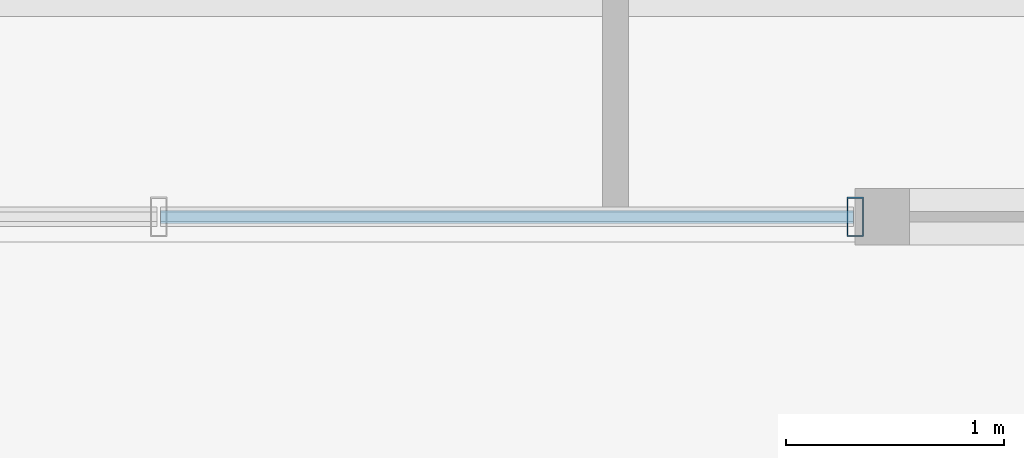
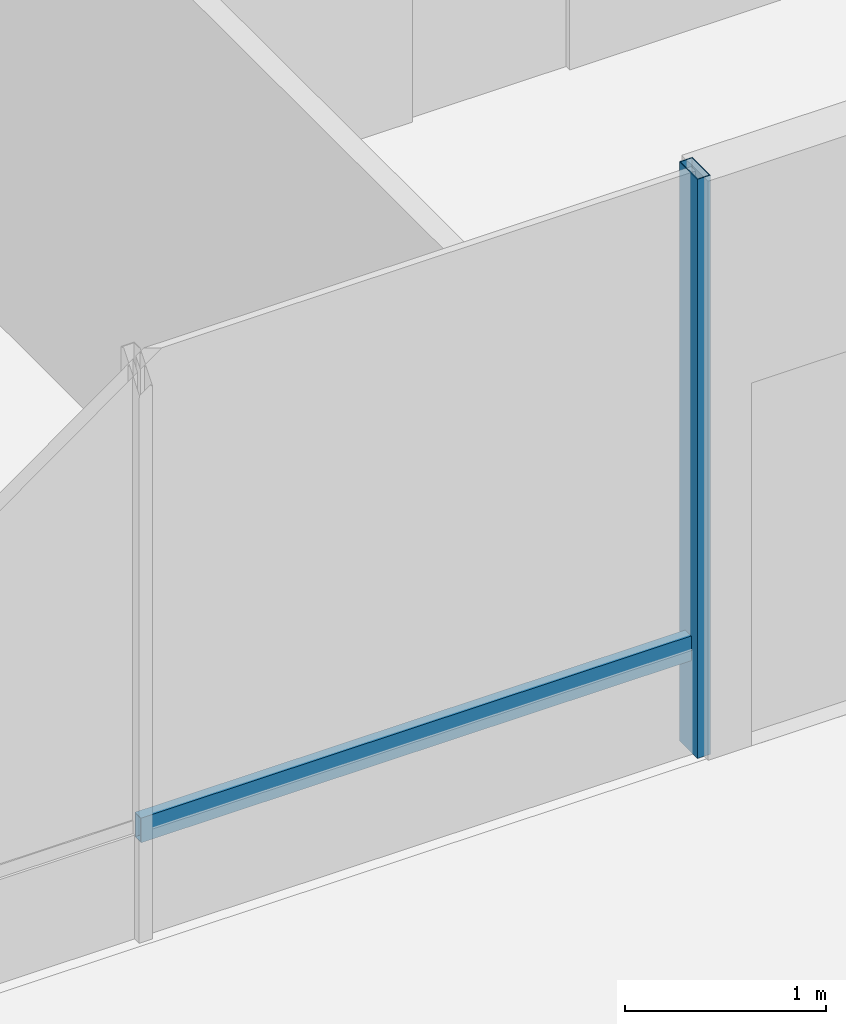
# One storey, part 3 of 18: 2 members, 1 element without a shape of its own.
"""IFC4 building model written with IfcOpenShell, lengths in metres."""

from ifc_helpers import new_model, si_unit, direction, frame, origin, origin_2d, place, context, subcontext, project, spatial, hollow_rectangle, extrude, material, layer, layer_set, material_profile, profile_set, type_object, element, aggregate, save


model = new_model("IFC4")

# Units and contexts
model_context = context("Model", 3, precision=1e-05, world=origin(), true_north=direction((0.0, 1.0)))
body_context = subcontext(model_context, "Body", "Model", "MODEL_VIEW")
ifc_project = project(units=[si_unit("LENGTHUNIT", "METRE"), si_unit("AREAUNIT", "SQUARE_METRE"), si_unit("VOLUMEUNIT", "CUBIC_METRE"), si_unit("PLANEANGLEUNIT", "RADIAN"), si_unit("MASSUNIT", "GRAM", prefix="KILO")], contexts=[model_context])

# Site, building, storey
site_placement = place(None, origin())
site = spatial("IfcSite", under=ifc_project, at=site_placement, CompositionType="ELEMENT")
building_placement = place(site_placement, origin())
building = spatial("IfcBuilding", under=site, at=building_placement, Name="Belovzor Exchange Tower", CompositionType="ELEMENT")
storey_placement = place(building_placement, frame((0.0, 0.0, 310.5)))
storey = spatial("IfcBuildingStorey", under=building, at=storey_placement, Name="L77", CompositionType="ELEMENT", Elevation=310.5)

# Curtain wall, members
ifc_material_1 = material(Name="Anodised Aluminium Framing", Category="aluminium")
ifc_layer = layer(ifc_material_1, 0.179931640625)
ifc_layer_set = layer_set([ifc_layer], Name="Anodised Aluminium Framing")
curtain_wall_type = type_object("IfcCurtainWallType", Name="Recessed Loggia Low-Iron Triple-Glazed Curtain Wall", PredefinedType="NOTDEFINED", material=ifc_layer_set)
curtain_wall_placement = place(storey_placement, origin())
curtain_wall = element("IfcCurtainWall", 1, at=curtain_wall_placement, inside=storey, type_object=curtain_wall_type, Name="CW3 Recessed Loggia Low-Iron Triple-Glazed Curtain Wall L77", PredefinedType="NOTDEFINED")
ifc_material_2 = material(Name="Steel S355", Category="steel")
ifc_material_profile_1 = material_profile(ifc_material_2, hollow_rectangle(XDim=0.074951171875, YDim=0.179931640625, WallThickness=0.0048828125, at=origin_2d()))
ifc_profile_set_1 = profile_set([ifc_material_profile_1], Name="Steel S355")
member_type_1 = type_object("IfcMemberType", Name="Thermally Broken Curtain Wall Mullion 180x75", PredefinedType="MULLION", material=ifc_profile_set_1)
member_1_placement = place(storey_placement, frame((33.60009765625, 6.1298828125, 0.0), z_axis=(0.0, 0.0, 1.0), x_axis=(-1.0, 0.0, 0.0)))
member_1 = element("IfcMember", 2, at=member_1_placement, type_object=member_type_1, Name="CW-M180 Curtain Wall Mullion 1", PredefinedType="MULLION", context=body_context, shape_type="SweptSolid", body=[
    extrude(hollow_rectangle(XDim=0.074951171875, YDim=0.179931640625, WallThickness=0.0048828125, at=origin_2d()), origin(), (0.0, 0.0, 1.0), 3.510009765625),
])
ifc_material_3 = material(Name="Steel S355", Category="steel")
ifc_material_profile_2 = material_profile(ifc_material_3, hollow_rectangle(XDim=0.06005859375, YDim=0.14990234375, WallThickness=0.00390625, at=origin_2d()))
ifc_profile_set_2 = profile_set([ifc_material_profile_2], Name="Steel S355")
member_type_2 = type_object("IfcMemberType", Name="Thermally Broken Curtain Wall Transom 150x60", PredefinedType="USERDEFINED", material=ifc_profile_set_2)
member_2_placement = place(storey_placement, frame((33.592041015625, 6.1298828125, 0.632080078125), z_axis=(-1.0, 0.0, 0.0), x_axis=(0.0, -1.0, 0.0)))
member_2 = element("IfcMember", 3, at=member_2_placement, type_object=member_type_2, Name="CW-T150 Curtain Wall Transom 1", ObjectType="TRANSOM", PredefinedType="USERDEFINED", context=body_context, shape_type="SweptSolid", body=[
    extrude(hollow_rectangle(XDim=0.06005859375, YDim=0.14990234375, WallThickness=0.00390625, at=origin_2d()), origin(), (0.0, 0.0, 1.0), 3.18408203125),
])
aggregate(curtain_wall, [member_1, member_2])

save(model, "model.ifc")
